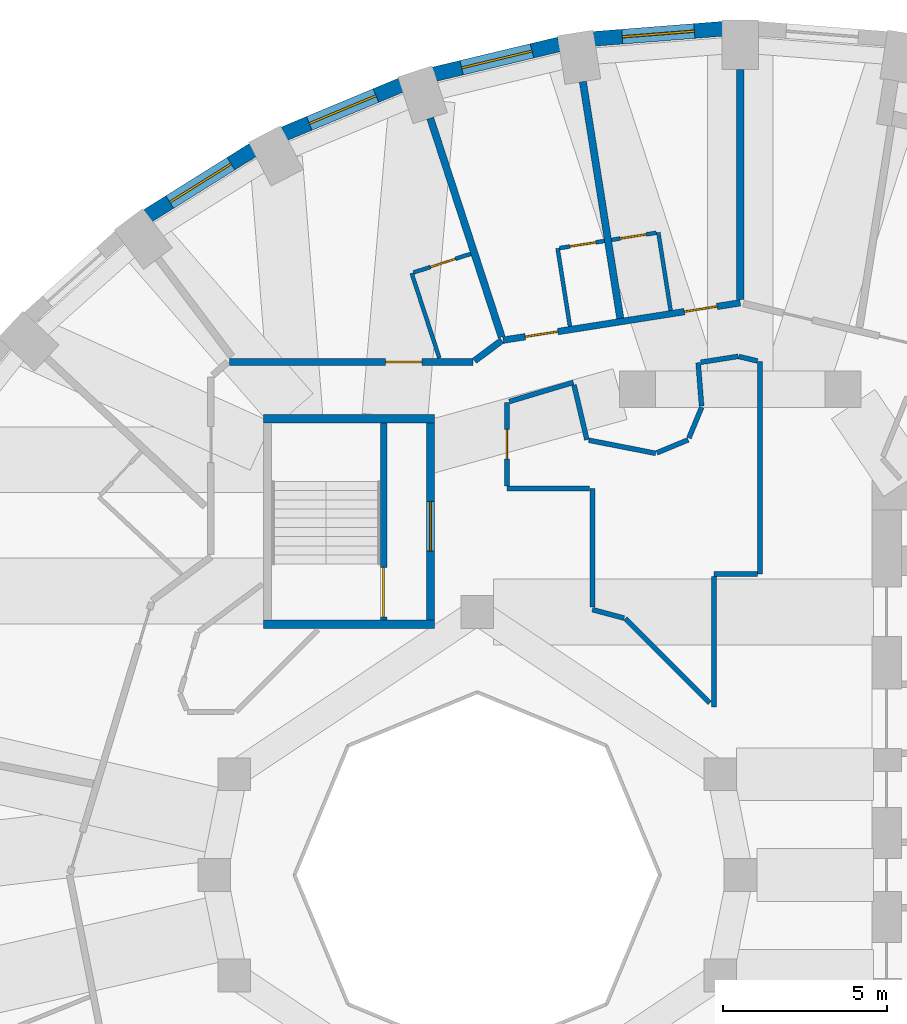
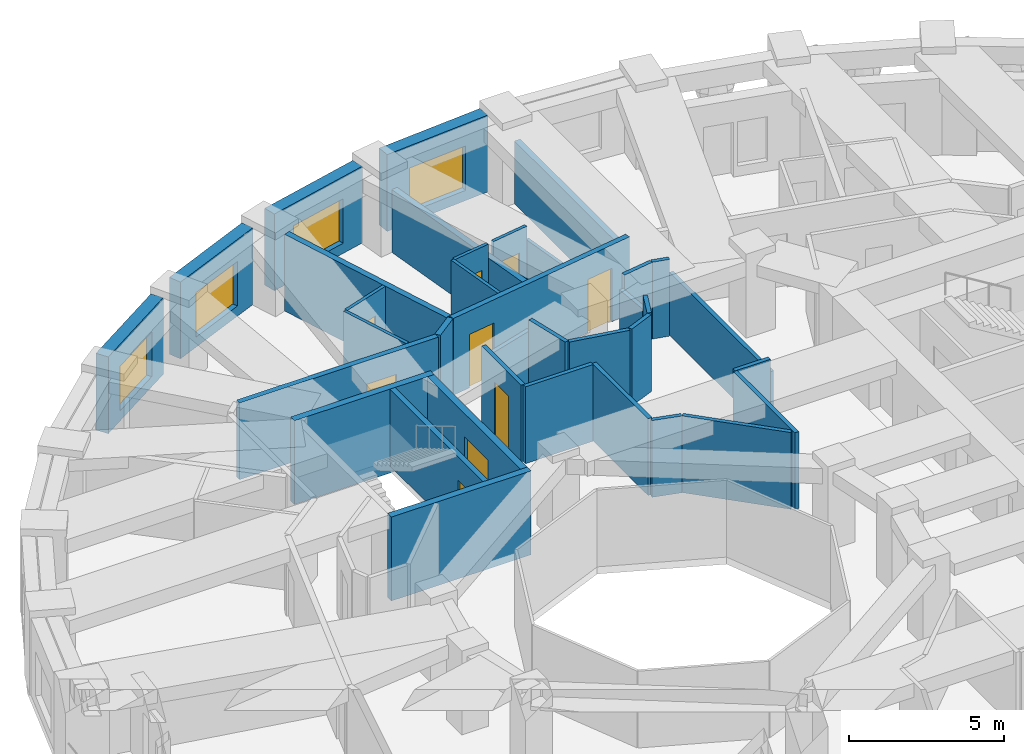
# One storey, part 8 of 14: 36 walls, 9 doors, 4 windows, 13 openings.
"""IFC4 building model written with IfcOpenShell, lengths in metres."""

from ifc_helpers import new_model, si_unit, direction, frame, frame_2d, origin, place, context, subcontext, project, spatial, rectangle, extrude, material, layer, layer_set, type_object, element, fill, save


model = new_model("IFC4")

# Units and contexts
model_context = context("Model", 3, precision=1e-05, world=origin(), true_north=direction((0.0, 1.0)))
body_context = subcontext(model_context, "Body", "Model", "MODEL_VIEW")
ifc_project = project(units=[si_unit("LENGTHUNIT", "METRE"), si_unit("AREAUNIT", "SQUARE_METRE"), si_unit("VOLUMEUNIT", "CUBIC_METRE"), si_unit("PLANEANGLEUNIT", "RADIAN"), si_unit("MASSUNIT", "GRAM", prefix="KILO")], contexts=[model_context])

# Site, building, storey
site_placement = place(None, origin())
site = spatial("IfcSite", under=ifc_project, at=site_placement, CompositionType="ELEMENT")
building_placement = place(site_placement, origin())
building = spatial("IfcBuilding", under=site, at=building_placement, Name="Taillehof Tower", CompositionType="ELEMENT")
storey_placement = place(building_placement, frame((0.0, 0.0, 21.699951171875)))
storey = spatial("IfcBuildingStorey", under=building, at=storey_placement, Name="L04", CompositionType="ELEMENT", Elevation=21.699951171875)

# Wall, opening, window
ifc_material_1 = material(Name="Brick masonry", Category="masonry")
ifc_layer_1 = layer(ifc_material_1, 0.449951171875)
ifc_layer_set_1 = layer_set([ifc_layer_1], Name="Brick infill wall 450")
wall_type_1 = type_object("IfcWallType", Name="Brick infill wall 450", PredefinedType="SOLIDWALL", material=ifc_layer_set_1)
wall_1_placement = place(storey_placement, frame((-0.530029296875, 25.73291015625, 0.0), z_axis=(0.0, 0.0, 1.0), x_axis=(-0.996955972145, -0.077966592873, 0.0)))
wall_1 = element("IfcWall", 1, at=wall_1_placement, inside=storey, type_object=wall_type_1, Name="Brick wall L04 bay 10", PredefinedType="SOLIDWALL", context=body_context, shape_type="SweptSolid", body=[
    extrude(rectangle(XDim=3.939208984375, YDim=0.449951171875, at=frame_2d((1.9697265625, 0.0))), origin(), (0.0, 0.0, 1.0), 3.02001953125),
])
opening_1_placement = place(wall_1_placement, frame((0.86962890625, 0.0, 0.39990234375)))
opening_1 = element("IfcOpeningElement", 2, at=opening_1_placement, cuts=wall_1, Name="Opening W1", PredefinedType="OPENING", context=body_context, shape_type="SweptSolid", body=[
    extrude(rectangle(XDim=2.199951171875, YDim=1.75, at=frame_2d((1.10009765625, 0.875))), frame((0.0, 0.23486328125, 0.0), z_axis=(0.0, -1.0, 0.0), x_axis=(1.0, 0.0, 0.0)), (0.0, 0.0, 1.0), 0.469970703125),
])
ifc_material_2 = material(Name="Aluminium window frame with clear double glazing", Category="aluminium")
window_type = type_object("IfcWindowType", Name="Deep-set window 2200x1750", PartitioningType="SINGLE_PANEL", PredefinedType="WINDOW", material=ifc_material_2)
window_1_placement = place(opening_1_placement, origin())
window_1 = element("IfcWindow", 3, at=window_1_placement, inside=storey, type_object=window_type, Name="W1", OverallHeight=1.75, OverallWidth=2.199951171875, PartitioningType="SINGLE_PANEL", PredefinedType="WINDOW", context=body_context, shape_type="SweptSolid", body=[
    extrude(rectangle(XDim=2.199951171875, YDim=1.75, at=frame_2d((1.10009765625, 0.875))), frame((0.0, 0.034912109375, 0.0), z_axis=(0.0, -1.0, 0.0), x_axis=(1.0, 0.0, 0.0)), (0.0, 0.0, 1.0), 0.06005859375),
])
fill(opening_1, window_1)

wall_2_placement = place(storey_placement, frame((-5.50439453125, 25.260498046875, 0.0), z_axis=(0.0, 0.0, 1.0), x_axis=(-0.972496561493, -0.232917233979, 0.0)))
wall_2 = element("IfcWall", 4, at=wall_2_placement, inside=storey, type_object=wall_type_1, Name="Brick wall L04 bay 11", PredefinedType="SOLIDWALL", context=body_context, shape_type="SweptSolid", body=[
    extrude(rectangle(XDim=3.910888671875, YDim=0.449951171875, at=frame_2d((1.95556640625, 0.0))), origin(), (0.0, 0.0, 1.0), 3.02001953125),
])
opening_2_placement = place(wall_2_placement, frame((0.855224609375, 0.0, 0.39990234375)))
opening_2 = element("IfcOpeningElement", 5, at=opening_2_placement, cuts=wall_2, Name="Opening W1", PredefinedType="OPENING", context=body_context, shape_type="SweptSolid", body=[
    extrude(rectangle(XDim=2.199951171875, YDim=1.75, at=frame_2d((1.10009765625, 0.875))), frame((0.0, 0.23486328125, 0.0), z_axis=(0.0, -1.0, 0.0), x_axis=(1.0, 0.0, 0.0)), (0.0, 0.0, 1.0), 0.469970703125),
])
window_2_placement = place(opening_2_placement, origin())
window_2 = element("IfcWindow", 6, at=window_2_placement, inside=storey, type_object=window_type, Name="W1", OverallHeight=1.75, OverallWidth=2.199951171875, PartitioningType="SINGLE_PANEL", PredefinedType="WINDOW", context=body_context, shape_type="SweptSolid", body=[
    extrude(rectangle(XDim=2.199951171875, YDim=1.75, at=frame_2d((1.10009765625, 0.875))), frame((0.0, 0.034912109375, 0.0), z_axis=(0.0, -1.0, 0.0), x_axis=(1.0, 0.0, 0.0)), (0.0, 0.0, 1.0), 0.06005859375),
])
fill(opening_2, window_2)

wall_3_placement = place(storey_placement, frame((-10.3154296875, 24.02099609375, 0.0), z_axis=(0.0, 0.0, 1.0), x_axis=(-0.923031964282, -0.384723267966, 0.0)))
wall_3 = element("IfcWall", 7, at=wall_3_placement, inside=storey, type_object=wall_type_1, Name="Brick wall L04 bay 12", PredefinedType="SOLIDWALL", context=body_context, shape_type="SweptSolid", body=[
    extrude(rectangle(XDim=3.8564453125, YDim=0.449951171875, at=frame_2d((1.92822265625, 0.0))), origin(), (0.0, 0.0, 1.0), 3.02001953125),
])
opening_3_placement = place(wall_3_placement, frame((0.828125, 0.0, 0.39990234375)))
opening_3 = element("IfcOpeningElement", 8, at=opening_3_placement, cuts=wall_3, Name="Opening W1", PredefinedType="OPENING", context=body_context, shape_type="SweptSolid", body=[
    extrude(rectangle(XDim=2.199951171875, YDim=1.75, at=frame_2d((1.10009765625, 0.875))), frame((0.0, 0.23486328125, 0.0), z_axis=(0.0, -1.0, 0.0), x_axis=(1.0, 0.0, 0.0)), (0.0, 0.0, 1.0), 0.469970703125),
])
window_3_placement = place(opening_3_placement, origin())
window_3 = element("IfcWindow", 9, at=window_3_placement, inside=storey, type_object=window_type, Name="W1", OverallHeight=1.75, OverallWidth=2.199951171875, PartitioningType="SINGLE_PANEL", PredefinedType="WINDOW", context=body_context, shape_type="SweptSolid", body=[
    extrude(rectangle(XDim=2.199951171875, YDim=1.75, at=frame_2d((1.10009765625, 0.875))), frame((0.0, 0.034912109375, 0.0), z_axis=(0.0, -1.0, 0.0), x_axis=(1.0, 0.0, 0.0)), (0.0, 0.0, 1.0), 0.06005859375),
])
fill(opening_3, window_3)

wall_4_placement = place(storey_placement, frame((-14.81689453125, 22.050537109375, 0.0), z_axis=(0.0, 0.0, 1.0), x_axis=(-0.847635480093, -0.530579016629, 0.0)))
wall_4 = element("IfcWall", 10, at=wall_4_placement, inside=storey, type_object=wall_type_1, Name="Brick wall L04 bay 13", PredefinedType="SOLIDWALL", context=body_context, shape_type="SweptSolid", body=[
    extrude(rectangle(XDim=3.782470703125, YDim=0.449951171875, at=frame_2d((1.89111328125, 0.0))), origin(), (0.0, 0.0, 1.0), 3.02001953125),
])
opening_4_placement = place(wall_4_placement, frame((0.791259765625, 0.0, 0.39990234375)))
opening_4 = element("IfcOpeningElement", 11, at=opening_4_placement, cuts=wall_4, Name="Opening W1", PredefinedType="OPENING", context=body_context, shape_type="SweptSolid", body=[
    extrude(rectangle(XDim=2.199951171875, YDim=1.75, at=frame_2d((1.10009765625, 0.875))), frame((0.0, 0.23486328125, 0.0), z_axis=(0.0, -1.0, 0.0), x_axis=(1.0, 0.0, 0.0)), (0.0, 0.0, 1.0), 0.469970703125),
])
window_4_placement = place(opening_4_placement, origin())
window_4 = element("IfcWindow", 12, at=window_4_placement, inside=storey, type_object=window_type, Name="W1", OverallHeight=1.75, OverallWidth=2.199951171875, PartitioningType="SINGLE_PANEL", PredefinedType="WINDOW", context=body_context, shape_type="SweptSolid", body=[
    extrude(rectangle(XDim=2.199951171875, YDim=1.75, at=frame_2d((1.10009765625, 0.875))), frame((0.0, 0.034912109375, 0.0), z_axis=(0.0, -1.0, 0.0), x_axis=(1.0, 0.0, 0.0)), (0.0, 0.0, 1.0), 0.06005859375),
])
fill(opening_4, window_4)

# Wall, opening, door
ifc_material_3 = material(Name="Gypsum board on steel studs, two layers each side", Category="steel")
ifc_layer_2 = layer(ifc_material_3, 0.199951171875)
ifc_layer_set_2 = layer_set([ifc_layer_2], Name="Compartment wall corridor 200")
wall_type_2 = type_object("IfcWallType", Name="Compartment wall corridor 200", PredefinedType="PARTITIONING", material=ifc_layer_set_2)
wall_5_placement = place(storey_placement, frame((-15.531494140625, 15.60009765625, 0.0), z_axis=(0.0, 0.0, 1.0), x_axis=(1.0, 0.0, 0.0)))
wall_5 = element("IfcWall", 13, at=wall_5_placement, inside=storey, type_object=wall_type_2, Name="Compartment wall", PredefinedType="PARTITIONING", context=body_context, shape_type="SweptSolid", body=[
    extrude(rectangle(XDim=7.39892578125, YDim=0.199951171875, at=frame_2d((3.699462890625, 0.0))), origin(), (0.0, 0.0, 1.0), 3.02001953125),
])
opening_5_placement = place(wall_5_placement, frame((4.74658203125, 0.0, 0.0)))
opening_5 = element("IfcOpeningElement", 14, at=opening_5_placement, cuts=wall_5, Name="Opening D0449", PredefinedType="OPENING", context=body_context, shape_type="SweptSolid", body=[
    extrude(rectangle(XDim=1.10009765625, YDim=2.10009765625, at=frame_2d((0.550048828125, 1.050048828125))), frame((0.0, 0.10986328125, 0.0), z_axis=(0.0, -1.0, 0.0), x_axis=(1.0, 0.0, 0.0)), (0.0, 0.0, 1.0), 0.219970703125),
])
ifc_material_4 = material(Name="Timber door leaf in steel frame", Category="steel")
door_type_1 = type_object("IfcDoorType", Name="Suite entrance door EI 30 1100 x 2100", OperationType="SINGLE_SWING_LEFT", PredefinedType="DOOR", material=ifc_material_4)
door_1_placement = place(opening_5_placement, origin())
door_1 = element("IfcDoor", 15, at=door_1_placement, inside=storey, type_object=door_type_1, Name="D0449", OperationType="SINGLE_SWING_RIGHT", OverallHeight=2.10009765625, OverallWidth=1.10009765625, PredefinedType="DOOR", context=body_context, shape_type="SweptSolid", body=[
    extrude(rectangle(XDim=1.10009765625, YDim=2.10009765625, at=frame_2d((0.550048828125, 1.050048828125))), frame((0.0, 0.02490234375, 0.0), z_axis=(0.0, -1.0, 0.0), x_axis=(1.0, 0.0, 0.0)), (0.0, 0.0, 1.0), 0.050048828125),
])
fill(opening_5, door_1)

# Wall
wall_6_placement = place(storey_placement, frame((-8.084228515625, 15.635986328125, 0.0), z_axis=(0.0, 0.0, 1.0), x_axis=(0.802193962144, 0.597063520155, 0.0)))
element("IfcWall", 16, at=wall_6_placement, inside=storey, type_object=wall_type_2, Name="Compartment wall", PredefinedType="PARTITIONING", context=body_context, shape_type="SweptSolid", body=[
    extrude(rectangle(XDim=1.0390625, YDim=0.199951171875, at=frame_2d((0.51953125, 0.0))), origin(), (0.0, 0.0, 1.0), 3.02001953125),
])

# Wall, openings, doors
wall_7_placement = place(storey_placement, frame((-7.211181640625, 16.2626953125, 0.0), z_axis=(0.0, 0.0, 1.0), x_axis=(0.987792503573, 0.155775382796, 0.0)))
wall_7 = element("IfcWall", 17, at=wall_7_placement, inside=storey, type_object=wall_type_2, Name="Compartment wall", PredefinedType="PARTITIONING", context=body_context, shape_type="SweptSolid", body=[
    extrude(rectangle(XDim=7.30029296875, YDim=0.199951171875, at=frame_2d((3.650146484375, 0.0))), origin(), (0.0, 0.0, 1.0), 3.02001953125),
])
opening_6_placement = place(wall_7_placement, frame((5.58056640625, 0.0, 0.0)))
opening_6 = element("IfcOpeningElement", 18, at=opening_6_placement, cuts=wall_7, Name="Opening D0445", PredefinedType="OPENING", context=body_context, shape_type="SweptSolid", body=[
    extrude(rectangle(XDim=1.0, YDim=2.10009765625, at=frame_2d((0.5, 1.050048828125))), frame((0.0, 0.10986328125, 0.0), z_axis=(0.0, -1.0, 0.0), x_axis=(1.0, 0.0, 0.0)), (0.0, 0.0, 1.0), 0.219970703125),
])
opening_7_placement = place(wall_7_placement, frame((0.680419921875, 0.0, 0.0)))
opening_7 = element("IfcOpeningElement", 19, at=opening_7_placement, cuts=wall_7, Name="Opening D0447", PredefinedType="OPENING", context=body_context, shape_type="SweptSolid", body=[
    extrude(rectangle(XDim=1.0, YDim=2.10009765625, at=frame_2d((0.5, 1.050048828125))), frame((0.0, 0.10986328125, 0.0), z_axis=(0.0, -1.0, 0.0), x_axis=(1.0, 0.0, 0.0)), (0.0, 0.0, 1.0), 0.219970703125),
])
ifc_material_5 = material(Name="Timber door leaf in steel frame", Category="steel")
door_type_2 = type_object("IfcDoorType", Name="Guest room door EI 30 1000 x 2100", OperationType="SINGLE_SWING_LEFT", PredefinedType="DOOR", material=ifc_material_5)
door_2_placement = place(opening_6_placement, origin())
door_2 = element("IfcDoor", 20, at=door_2_placement, inside=storey, type_object=door_type_2, Name="D0445", OperationType="SINGLE_SWING_LEFT", OverallHeight=2.10009765625, OverallWidth=1.0, PredefinedType="DOOR", context=body_context, shape_type="SweptSolid", body=[
    extrude(rectangle(XDim=1.0, YDim=2.10009765625, at=frame_2d((0.5, 1.050048828125))), frame((0.0, 0.02490234375, 0.0), z_axis=(0.0, -1.0, 0.0), x_axis=(1.0, 0.0, 0.0)), (0.0, 0.0, 1.0), 0.050048828125),
])
fill(opening_6, door_2)
door_3_placement = place(opening_7_placement, origin())
door_3 = element("IfcDoor", 21, at=door_3_placement, inside=storey, type_object=door_type_2, Name="D0447", OperationType="SINGLE_SWING_RIGHT", OverallHeight=2.10009765625, OverallWidth=1.0, PredefinedType="DOOR", context=body_context, shape_type="SweptSolid", body=[
    extrude(rectangle(XDim=1.0, YDim=2.10009765625, at=frame_2d((0.5, 1.050048828125))), frame((0.0, 0.02490234375, 0.0), z_axis=(0.0, -1.0, 0.0), x_axis=(1.0, 0.0, 0.0)), (0.0, 0.0, 1.0), 0.050048828125),
])
fill(opening_7, door_3)

# Walls
ifc_material_6 = material(Name="Gypsum board on double steel studs with mineral wool", Category="steel")
ifc_layer_3 = layer(ifc_material_6, 0.219970703125)
ifc_layer_set_3 = layer_set([ifc_layer_3], Name="Compartment wall guest room 220")
wall_type_3 = type_object("IfcWallType", Name="Compartment wall guest room 220", PredefinedType="PARTITIONING", material=ifc_layer_set_3)
wall_8_placement = place(storey_placement, frame((0.0, 24.5, 0.0), z_axis=(0.0, 0.0, 1.0), x_axis=(0.0, -1.0, 0.0)))
element("IfcWall", 22, at=wall_8_placement, inside=storey, type_object=wall_type_3, Name="Compartment wall", PredefinedType="PARTITIONING", context=body_context, shape_type="SweptSolid", body=[
    extrude(rectangle(XDim=7.0, YDim=0.219970703125, at=frame_2d((3.5, 0.0))), origin(), (0.0, 0.0, 1.0), 2.469970703125),
])
wall_9_placement = place(storey_placement, frame((-4.788330078125, 24.12548828125, 0.0), z_axis=(0.0, 0.0, 1.0), x_axis=(0.156143160107, -0.98773443473, 0.0)))
element("IfcWall", 23, at=wall_9_placement, inside=storey, type_object=wall_type_3, Name="Compartment wall", PredefinedType="PARTITIONING", context=body_context, shape_type="SweptSolid", body=[
    extrude(rectangle(XDim=7.289306640625, YDim=0.219970703125, at=frame_2d((3.64453125, 0.0))), origin(), (0.0, 0.0, 1.0), 2.469970703125),
])
wall_10_placement = place(storey_placement, frame((-9.429443359375, 23.01416015625, 0.0), z_axis=(0.0, 0.0, 1.0), x_axis=(0.310239117306, -0.950658555998, 0.0)))
element("IfcWall", 24, at=wall_10_placement, inside=storey, type_object=wall_type_3, Name="Compartment wall", PredefinedType="PARTITIONING", context=body_context, shape_type="SweptSolid", body=[
    extrude(rectangle(XDim=7.0029296875, YDim=0.219970703125, at=frame_2d((3.50146484375, 0.0))), origin(), (0.0, 0.0, 1.0), 3.02001953125),
])
ifc_material_7 = material(Name="Gypsum board on steel studs, two layers each side", Category="steel")
ifc_layer_4 = layer(ifc_material_7, 0.14990234375)
ifc_layer_set_4 = layer_set([ifc_layer_4], Name="Compartment wall service room 150")
wall_type_4 = type_object("IfcWallType", Name="Compartment wall service room 150", PredefinedType="PARTITIONING", material=ifc_layer_set_4)
wall_11_placement = place(storey_placement, frame((0.60009765625, 15.611572265625, 0.0), z_axis=(0.0, 0.0, 1.0), x_axis=(0.0, -1.0, 0.0)))
element("IfcWall", 25, at=wall_11_placement, inside=storey, type_object=wall_type_4, Name="Compartment wall", PredefinedType="PARTITIONING", context=body_context, shape_type="SweptSolid", body=[
    extrude(rectangle(XDim=6.461669921875, YDim=0.14990234375, at=frame_2d((3.23095703125, 0.0))), origin(), (0.0, 0.0, 1.0), 2.469970703125),
])
wall_12_placement = place(storey_placement, frame((0.52001953125, 9.14990234375, 0.0), z_axis=(0.0, 0.0, 1.0), x_axis=(-1.0, 0.0, 0.0)))
element("IfcWall", 26, at=wall_12_placement, inside=storey, type_object=wall_type_4, Name="Compartment wall", PredefinedType="PARTITIONING", context=body_context, shape_type="SweptSolid", body=[
    extrude(rectangle(XDim=1.320068359375, YDim=0.14990234375, at=frame_2d((0.66015625, 0.0))), origin(), (0.0, 0.0, 1.0), 3.02001953125),
])
wall_13_placement = place(storey_placement, frame((-0.800048828125, 9.06982421875, 0.0), z_axis=(0.0, 0.0, 1.0), x_axis=(0.0, -1.0, 0.0)))
element("IfcWall", 27, at=wall_13_placement, inside=storey, type_object=wall_type_4, Name="Compartment wall", PredefinedType="PARTITIONING", context=body_context, shape_type="SweptSolid", body=[
    extrude(rectangle(XDim=3.966064453125, YDim=0.14990234375, at=frame_2d((1.98291015625, 0.0))), origin(), (0.0, 0.0, 1.0), 3.02001953125),
])
wall_14_placement = place(storey_placement, frame((-0.927490234375, 5.231201171875, 0.0), z_axis=(0.0, 0.0, 1.0), x_axis=(-0.707106781187, 0.707106781187, 0.0)))
element("IfcWall", 28, at=wall_14_placement, inside=storey, type_object=wall_type_4, Name="Compartment wall", PredefinedType="PARTITIONING", context=body_context, shape_type="SweptSolid", body=[
    extrude(rectangle(XDim=3.63330078125, YDim=0.14990234375, at=frame_2d((1.816650390625, 0.0))), origin(), (0.0, 0.0, 1.0), 3.02001953125),
])
wall_15_placement = place(storey_placement, frame((-3.53515625, 7.810546875, 0.0), z_axis=(0.0, 0.0, 1.0), x_axis=(-0.965921867197, 0.258833820183, 0.0)))
element("IfcWall", 29, at=wall_15_placement, inside=storey, type_object=wall_type_4, Name="Compartment wall", PredefinedType="PARTITIONING", context=body_context, shape_type="SweptSolid", body=[
    extrude(rectangle(XDim=0.998779296875, YDim=0.14990234375, at=frame_2d((0.49951171875, 0.0))), origin(), (0.0, 0.0, 1.0), 3.02001953125),
])
wall_16_placement = place(storey_placement, frame((-4.5, 8.149169921875, 0.0), z_axis=(0.0, 0.0, 1.0), x_axis=(0.0, 1.0, 0.0)))
element("IfcWall", 30, at=wall_16_placement, inside=storey, type_object=wall_type_4, Name="Compartment wall", PredefinedType="PARTITIONING", context=body_context, shape_type="SweptSolid", body=[
    extrude(rectangle(XDim=3.600830078125, YDim=0.14990234375, at=frame_2d((1.80029296875, 0.0))), origin(), (0.0, 0.0, 1.0), 3.02001953125),
])
wall_17_placement = place(storey_placement, frame((-4.580078125, 11.75, 0.0), z_axis=(0.0, 0.0, 1.0), x_axis=(-1.0, 0.0, 0.0)))
element("IfcWall", 31, at=wall_17_placement, inside=storey, type_object=wall_type_4, Name="Compartment wall", PredefinedType="PARTITIONING", context=body_context, shape_type="SweptSolid", body=[
    extrude(rectangle(XDim=2.52001953125, YDim=0.14990234375, at=frame_2d((1.260009765625, 0.0))), origin(), (0.0, 0.0, 1.0), 3.02001953125),
])

# Wall, opening, door
wall_18_placement = place(storey_placement, frame((-7.10009765625, 11.830078125, 0.0), z_axis=(0.0, 0.0, 1.0), x_axis=(0.0, 1.0, 0.0)))
wall_18 = element("IfcWall", 32, at=wall_18_placement, inside=storey, type_object=wall_type_4, Name="Compartment wall", PredefinedType="PARTITIONING", context=body_context, shape_type="SweptSolid", body=[
    extrude(rectangle(XDim=2.5439453125, YDim=0.14990234375, at=frame_2d((1.27197265625, 0.0))), origin(), (0.0, 0.0, 1.0), 3.02001953125),
])
opening_8_placement = place(wall_18_placement, frame((0.822021484375, 0.0, 0.0)))
opening_8 = element("IfcOpeningElement", 33, at=opening_8_placement, cuts=wall_18, Name="Opening D0473", PredefinedType="OPENING", context=body_context, shape_type="SweptSolid", body=[
    extrude(rectangle(XDim=0.89990234375, YDim=2.10009765625, at=frame_2d((0.449951171875, 1.050048828125))), frame((0.0, 0.0849609375, 0.0), z_axis=(0.0, -1.0, 0.0), x_axis=(1.0, 0.0, 0.0)), (0.0, 0.0, 1.0), 0.169921875),
])
ifc_material_8 = material(Name="Timber door leaf in steel frame", Category="steel")
door_type_3 = type_object("IfcDoorType", Name="Service room door EI 30 900 x 2100", OperationType="SINGLE_SWING_LEFT", PredefinedType="DOOR", material=ifc_material_8)
door_4_placement = place(opening_8_placement, origin())
door_4 = element("IfcDoor", 34, at=door_4_placement, inside=storey, type_object=door_type_3, Name="D0473", OperationType="SINGLE_SWING_LEFT", OverallHeight=2.10009765625, OverallWidth=0.89990234375, PredefinedType="DOOR", context=body_context, shape_type="SweptSolid", body=[
    extrude(rectangle(XDim=0.89990234375, YDim=2.10009765625, at=frame_2d((0.449951171875, 1.050048828125))), frame((0.0, 0.02490234375, 0.0), z_axis=(0.0, -1.0, 0.0), x_axis=(1.0, 0.0, 0.0)), (0.0, 0.0, 1.0), 0.050048828125),
])
fill(opening_8, door_4)

# Walls
wall_19_placement = place(storey_placement, frame((-7.02392578125, 14.396484375, 0.0), z_axis=(0.0, 0.0, 1.0), x_axis=(0.958024310194, 0.286686974028, 0.0)))
element("IfcWall", 35, at=wall_19_placement, inside=storey, type_object=wall_type_4, Name="Compartment wall", PredefinedType="PARTITIONING", context=body_context, shape_type="SweptSolid", body=[
    extrude(rectangle(XDim=2.03369140625, YDim=0.14990234375, at=frame_2d((1.016845703125, 0.0))), origin(), (0.0, 0.0, 1.0), 2.570068359375),
])
wall_20_placement = place(storey_placement, frame((-5.05712890625, 14.9013671875, 0.0), z_axis=(0.0, 0.0, 1.0), x_axis=(0.228269361027, -0.973598017056, 0.0)))
element("IfcWall", 36, at=wall_20_placement, inside=storey, type_object=wall_type_4, Name="Compartment wall", PredefinedType="PARTITIONING", context=body_context, shape_type="SweptSolid", body=[
    extrude(rectangle(XDim=1.71435546875, YDim=0.14990234375, at=frame_2d((0.857177734375, 0.0))), origin(), (0.0, 0.0, 1.0), 3.02001953125),
])
wall_21_placement = place(storey_placement, frame((-4.607177734375, 13.220458984375, 0.0), z_axis=(0.0, 0.0, 1.0), x_axis=(0.981304142817, -0.192463449234, 0.0)))
element("IfcWall", 37, at=wall_21_placement, inside=storey, type_object=wall_type_4, Name="Compartment wall", PredefinedType="PARTITIONING", context=body_context, shape_type="SweptSolid", body=[
    extrude(rectangle(XDim=2.0703125, YDim=0.14990234375, at=frame_2d((1.03515625, 0.0))), origin(), (0.0, 0.0, 1.0), 3.02001953125),
])
wall_22_placement = place(storey_placement, frame((-2.53857421875, 12.837158203125, 0.0), z_axis=(0.0, 0.0, 1.0), x_axis=(0.923768662954, 0.382950985565, 0.0)))
element("IfcWall", 38, at=wall_22_placement, inside=storey, type_object=wall_type_4, Name="Compartment wall", PredefinedType="PARTITIONING", context=body_context, shape_type="SweptSolid", body=[
    extrude(rectangle(XDim=1.031494140625, YDim=0.14990234375, at=frame_2d((0.515625, 0.0))), origin(), (0.0, 0.0, 1.0), 3.02001953125),
])
wall_23_placement = place(storey_placement, frame((-1.56298828125, 13.287841796875, 0.0), z_axis=(0.0, 0.0, 1.0), x_axis=(0.38284922736, 0.923810840546, 0.0)))
element("IfcWall", 39, at=wall_23_placement, inside=storey, type_object=wall_type_4, Name="Compartment wall", PredefinedType="PARTITIONING", context=body_context, shape_type="SweptSolid", body=[
    extrude(rectangle(XDim=1.011474609375, YDim=0.14990234375, at=frame_2d((0.505859375, 0.0))), origin(), (0.0, 0.0, 1.0), 3.02001953125),
])
wall_24_placement = place(storey_placement, frame((-1.1787109375, 14.26220703125, 0.0), z_axis=(0.0, 0.0, 1.0), x_axis=(-0.078054271799, 0.996949111366, 0.0)))
element("IfcWall", 40, at=wall_24_placement, inside=storey, type_object=wall_type_4, Name="Compartment wall", PredefinedType="PARTITIONING", context=body_context, shape_type="SweptSolid", body=[
    extrude(rectangle(XDim=1.31982421875, YDim=0.14990234375, at=frame_2d((0.659912109375, 0.0))), origin(), (0.0, 0.0, 1.0), 2.469970703125),
])
wall_25_placement = place(storey_placement, frame((-1.20263671875, 15.5908203125, 0.0), z_axis=(0.0, 0.0, 1.0), x_axis=(0.987814418255, 0.155636355288, 0.0)))
element("IfcWall", 41, at=wall_25_placement, inside=storey, type_object=wall_type_4, Name="Compartment wall", PredefinedType="PARTITIONING", context=body_context, shape_type="SweptSolid", body=[
    extrude(rectangle(XDim=1.153076171875, YDim=0.14990234375, at=frame_2d((0.57666015625, 0.0))), origin(), (0.0, 0.0, 1.0), 3.02001953125),
])
wall_26_placement = place(storey_placement, frame((-0.044189453125, 15.765625, 0.0), z_axis=(0.0, 0.0, 1.0), x_axis=(0.972535568527, -0.232754308121, 0.0)))
element("IfcWall", 42, at=wall_26_placement, inside=storey, type_object=wall_type_4, Name="Compartment wall", PredefinedType="PARTITIONING", context=body_context, shape_type="SweptSolid", body=[
    extrude(rectangle(XDim=0.58203125, YDim=0.14990234375, at=frame_2d((0.291015625, 0.0))), origin(), (0.0, 0.0, 1.0), 3.02001953125),
])
ifc_material_9 = material(Name="Gypsum board on steel studs, moisture resistant", Category="steel")
ifc_layer_5 = layer(ifc_material_9, 0.1201171875)
ifc_layer_set_5 = layer_set([ifc_layer_5], Name="En-suite wall 120")
wall_type_5 = type_object("IfcWallType", Name="En-suite wall 120", PredefinedType="PARTITIONING", material=ifc_layer_set_5)
wall_27_placement = place(storey_placement, frame((-2.119140625, 17.1669921875, 0.0), z_axis=(0.0, 0.0, 1.0), x_axis=(-0.156114026572, 0.987739039781, 0.0)))
element("IfcWall", 43, at=wall_27_placement, inside=storey, type_object=wall_type_5, Name="En-suite wall", PredefinedType="PARTITIONING", context=body_context, shape_type="SweptSolid", body=[
    extrude(rectangle(XDim=2.400634765625, YDim=0.1201171875, at=frame_2d((1.2001953125, 0.0))), origin(), (0.0, 0.0, 1.0), 2.469970703125),
])
wall_28_placement = place(storey_placement, frame((-5.181396484375, 16.683837890625, 0.0), z_axis=(0.0, 0.0, 1.0), x_axis=(-0.156077517275, 0.987744809453, 0.0)))
element("IfcWall", 44, at=wall_28_placement, inside=storey, type_object=wall_type_5, Name="En-suite wall", PredefinedType="PARTITIONING", context=body_context, shape_type="SweptSolid", body=[
    extrude(rectangle(XDim=2.3994140625, YDim=0.1201171875, at=frame_2d((1.19970703125, 0.0))), origin(), (0.0, 0.0, 1.0), 3.02001953125),
])
wall_29_placement = place(storey_placement, frame((-9.152587890625, 15.71923828125, 0.0), z_axis=(0.0, 0.0, 1.0), x_axis=(-0.310236037509, 0.950659561058, 0.0)))
element("IfcWall", 45, at=wall_29_placement, inside=storey, type_object=wall_type_5, Name="En-suite wall", PredefinedType="PARTITIONING", context=body_context, shape_type="SweptSolid", body=[
    extrude(rectangle(XDim=2.716552734375, YDim=0.1201171875, at=frame_2d((1.3583984375, 0.0))), origin(), (0.0, 0.0, 1.0), 3.02001953125),
])

# Wall, opening, door
wall_30_placement = place(storey_placement, frame((-2.55322265625, 19.528564453125, 0.0), z_axis=(0.0, 0.0, 1.0), x_axis=(-0.987750051492, -0.15604433914, 0.0)))
wall_30 = element("IfcWall", 46, at=wall_30_placement, inside=storey, type_object=wall_type_5, Name="En-suite wall", PredefinedType="PARTITIONING", context=body_context, shape_type="SweptSolid", body=[
    extrude(rectangle(XDim=1.3798828125, YDim=0.1201171875, at=frame_2d((0.68994140625, 0.0))), origin(), (0.0, 0.0, 1.0), 3.02001953125),
])
opening_9_placement = place(wall_30_placement, frame((0.31494140625, 0.0, 0.0)))
opening_9 = element("IfcOpeningElement", 47, at=opening_9_placement, cuts=wall_30, Name="Opening D0446", PredefinedType="OPENING", context=body_context, shape_type="SweptSolid", body=[
    extrude(rectangle(XDim=0.800048828125, YDim=2.10009765625, at=frame_2d((0.39990234375, 1.050048828125))), frame((0.0, 0.070068359375, 0.0), z_axis=(0.0, -1.0, 0.0), x_axis=(1.0, 0.0, 0.0)), (0.0, 0.0, 1.0), 0.14013671875),
])
ifc_material_10 = material(Name="Timber door leaf in steel frame", Category="steel")
door_type_4 = type_object("IfcDoorType", Name="En-suite door 800 x 2100", OperationType="SINGLE_SWING_LEFT", PredefinedType="DOOR", material=ifc_material_10)
door_5_placement = place(opening_9_placement, origin())
door_5 = element("IfcDoor", 48, at=door_5_placement, inside=storey, type_object=door_type_4, Name="D0446", OperationType="SINGLE_SWING_LEFT", OverallHeight=2.10009765625, OverallWidth=0.800048828125, PredefinedType="DOOR", context=body_context, shape_type="SweptSolid", body=[
    extrude(rectangle(XDim=0.800048828125, YDim=2.10009765625, at=frame_2d((0.39990234375, 1.050048828125))), frame((0.0, 0.02490234375, 0.0), z_axis=(0.0, -1.0, 0.0), x_axis=(1.0, 0.0, 0.0)), (0.0, 0.0, 1.0), 0.050048828125),
])
fill(opening_9, door_5)

wall_31_placement = place(storey_placement, frame((-5.49658203125, 19.0634765625, 0.0), z_axis=(0.0, 0.0, 1.0), x_axis=(0.987722767831, 0.156216945011, 0.0)))
wall_31 = element("IfcWall", 49, at=wall_31_placement, inside=storey, type_object=wall_type_5, Name="En-suite wall", PredefinedType="PARTITIONING", context=body_context, shape_type="SweptSolid", body=[
    extrude(rectangle(XDim=1.3798828125, YDim=0.1201171875, at=frame_2d((0.68994140625, 0.0))), origin(), (0.0, 0.0, 1.0), 3.02001953125),
])
opening_10_placement = place(wall_31_placement, frame((0.31494140625, 0.0, 0.0)))
opening_10 = element("IfcOpeningElement", 50, at=opening_10_placement, cuts=wall_31, Name="Opening D0448", PredefinedType="OPENING", context=body_context, shape_type="SweptSolid", body=[
    extrude(rectangle(XDim=0.800048828125, YDim=2.10009765625, at=frame_2d((0.39990234375, 1.050048828125))), frame((0.0, 0.070068359375, 0.0), z_axis=(0.0, -1.0, 0.0), x_axis=(1.0, 0.0, 0.0)), (0.0, 0.0, 1.0), 0.14013671875),
])
door_6_placement = place(opening_10_placement, origin())
door_6 = element("IfcDoor", 51, at=door_6_placement, inside=storey, type_object=door_type_4, Name="D0448", OperationType="SINGLE_SWING_LEFT", OverallHeight=2.10009765625, OverallWidth=0.800048828125, PredefinedType="DOOR", context=body_context, shape_type="SweptSolid", body=[
    extrude(rectangle(XDim=0.800048828125, YDim=2.10009765625, at=frame_2d((0.39990234375, 1.050048828125))), frame((0.0, 0.02490234375, 0.0), z_axis=(0.0, -1.0, 0.0), x_axis=(1.0, 0.0, 0.0)), (0.0, 0.0, 1.0), 0.050048828125),
])
fill(opening_10, door_6)

wall_32_placement = place(storey_placement, frame((-9.938232421875, 18.3203125, 0.0), z_axis=(0.0, 0.0, 1.0), x_axis=(0.950678536911, 0.31017788357, 0.0)))
wall_32 = element("IfcWall", 52, at=wall_32_placement, inside=storey, type_object=wall_type_5, Name="En-suite wall", PredefinedType="PARTITIONING", context=body_context, shape_type="SweptSolid", body=[
    extrude(rectangle(XDim=1.830078125, YDim=0.1201171875, at=frame_2d((0.9150390625, 0.0))), origin(), (0.0, 0.0, 1.0), 3.02001953125),
])
opening_11_placement = place(wall_32_placement, frame((0.539794921875, 0.0, 0.0)))
opening_11 = element("IfcOpeningElement", 53, at=opening_11_placement, cuts=wall_32, Name="Opening D0450", PredefinedType="OPENING", context=body_context, shape_type="SweptSolid", body=[
    extrude(rectangle(XDim=0.800048828125, YDim=2.10009765625, at=frame_2d((0.39990234375, 1.050048828125))), frame((0.0, 0.070068359375, 0.0), z_axis=(0.0, -1.0, 0.0), x_axis=(1.0, 0.0, 0.0)), (0.0, 0.0, 1.0), 0.14013671875),
])
door_7_placement = place(opening_11_placement, origin())
door_7 = element("IfcDoor", 54, at=door_7_placement, inside=storey, type_object=door_type_4, Name="D0450", OperationType="SINGLE_SWING_LEFT", OverallHeight=2.10009765625, OverallWidth=0.800048828125, PredefinedType="DOOR", context=body_context, shape_type="SweptSolid", body=[
    extrude(rectangle(XDim=0.800048828125, YDim=2.10009765625, at=frame_2d((0.39990234375, 1.050048828125))), frame((0.0, 0.02490234375, 0.0), z_axis=(0.0, -1.0, 0.0), x_axis=(1.0, 0.0, 0.0)), (0.0, 0.0, 1.0), 0.050048828125),
])
fill(opening_11, door_7)

ifc_material_11 = material(Name="Concrete C50/60", Category="concrete")
ifc_layer_6 = layer(ifc_material_11, 0.199951171875)
ifc_layer_set_6 = layer_set([ifc_layer_6], Name="Shaft wall C50/60 200")
wall_type_6 = type_object("IfcWallType", Name="Shaft wall C50/60 200", PredefinedType="SHEAR", material=ifc_layer_set_6)
wall_33_placement = place(storey_placement, frame((-10.85009765625, 7.75, 0.0), z_axis=(0.0, 0.0, 1.0), x_axis=(0.0, 1.0, 0.0)))
wall_33 = element("IfcWall", 55, at=wall_33_placement, inside=storey, type_object=wall_type_6, Name="Shaft wall SW", PredefinedType="SHEAR", context=body_context, shape_type="SweptSolid", body=[
    extrude(rectangle(XDim=6.0, YDim=0.199951171875, at=frame_2d((3.0, 0.0))), origin(), (0.0, 0.0, 1.0), 3.02001953125),
])
opening_12_placement = place(wall_33_placement, frame((0.10009765625, 0.0, 0.0)))
opening_12 = element("IfcOpeningElement", 56, at=opening_12_placement, cuts=wall_33, Name="Opening D0412", PredefinedType="OPENING", context=body_context, shape_type="SweptSolid", body=[
    extrude(rectangle(XDim=1.5, YDim=2.10009765625, at=frame_2d((0.75, 1.050048828125))), frame((0.0, 0.10986328125, 0.0), z_axis=(0.0, -1.0, 0.0), x_axis=(1.0, 0.0, 0.0)), (0.0, 0.0, 1.0), 0.219970703125),
])
ifc_material_12 = material(Name="Steel-faced fire door", Category="steel")
door_type_5 = type_object("IfcDoorType", Name="Stair door 1500x2100", OperationType="DOUBLE_DOOR_SINGLE_SWING", PredefinedType="DOOR", material=ifc_material_12)
door_8_placement = place(opening_12_placement, origin())
door_8 = element("IfcDoor", 57, at=door_8_placement, inside=storey, type_object=door_type_5, Name="Stair lobby door S3", OperationType="DOUBLE_DOOR_SINGLE_SWING", OverallHeight=2.10009765625, OverallWidth=1.5, PredefinedType="DOOR", context=body_context, shape_type="SweptSolid", body=[
    extrude(rectangle(XDim=1.5, YDim=2.10009765625, at=frame_2d((0.75, 1.050048828125))), frame((0.0, 0.02490234375, 0.0), z_axis=(0.0, -1.0, 0.0), x_axis=(1.0, 0.0, 0.0)), (0.0, 0.0, 1.0), 0.050048828125),
])
fill(opening_12, door_8)

ifc_material_13 = material(Name="Concrete C50/60", Category="concrete")
ifc_layer_7 = layer(ifc_material_13, 0.25)
ifc_layer_set_7 = layer_set([ifc_layer_7], Name="Stair wall C50/60 250")
wall_type_7 = type_object("IfcWallType", Name="Stair wall C50/60 250", PredefinedType="SHEAR", material=ifc_layer_set_7)
wall_34_placement = place(storey_placement, frame((-9.425048828125, 7.75, -0.280029296875), z_axis=(0.0, 0.0, 1.0), x_axis=(0.0, 1.0, 0.0)))
wall_34 = element("IfcWall", 58, at=wall_34_placement, inside=storey, type_object=wall_type_7, Name="Stair wall SC", PredefinedType="SHEAR", context=body_context, shape_type="SweptSolid", body=[
    extrude(rectangle(XDim=6.0, YDim=0.25, at=frame_2d((3.0, 0.0))), origin(), (0.0, 0.0, 1.0), 3.300048828125),
])
opening_13_placement = place(wall_34_placement, frame((2.10009765625, 0.0, 0.280029296875)))
opening_13 = element("IfcOpeningElement", 59, at=opening_13_placement, cuts=wall_34, Name="Opening D0419", PredefinedType="OPENING", context=body_context, shape_type="SweptSolid", body=[
    extrude(rectangle(XDim=1.5, YDim=2.10009765625, at=frame_2d((0.75, 1.050048828125))), frame((0.0, 0.135009765625, 0.0), z_axis=(0.0, -1.0, 0.0), x_axis=(1.0, 0.0, 0.0)), (0.0, 0.0, 1.0), 0.27001953125),
])
door_9_placement = place(opening_13_placement, origin())
door_9 = element("IfcDoor", 60, at=door_9_placement, inside=storey, type_object=door_type_5, Name="Stair door S3", OperationType="DOUBLE_DOOR_SINGLE_SWING", OverallHeight=2.10009765625, OverallWidth=1.5, PredefinedType="DOOR", context=body_context, shape_type="SweptSolid", body=[
    extrude(rectangle(XDim=1.5, YDim=2.10009765625, at=frame_2d((0.75, 1.050048828125))), frame((0.0, 0.02490234375, 0.0), z_axis=(0.0, -1.0, 0.0), x_axis=(1.0, 0.0, 0.0)), (0.0, 0.0, 1.0), 0.050048828125),
])
fill(opening_13, door_9)

# Walls
for number, where, z_axis, x_axis, name in (
    (61, (-14.5, 13.875, -0.280029296875), (0.0, 0.0, 1.0), (1.0, 0.0, 0.0), "Stair wall SC"),
    (62, (-14.5, 7.625, -0.280029296875), (0.0, 0.0, 1.0), (1.0, 0.0, 0.0), "Stair wall SC"),
):
    element("IfcWall", number, at=place(storey_placement, frame(where, z_axis=z_axis, x_axis=x_axis)), inside=storey, type_object=wall_type_7, Name=name, PredefinedType="SHEAR", context=body_context, shape_type="SweptSolid", body=[
        extrude(rectangle(XDim=5.199951171875, YDim=0.25, at=frame_2d((2.60009765625, 0.0))), origin(), (0.0, 0.0, 1.0), 3.300048828125),
    ])

save(model, "model.ifc")
